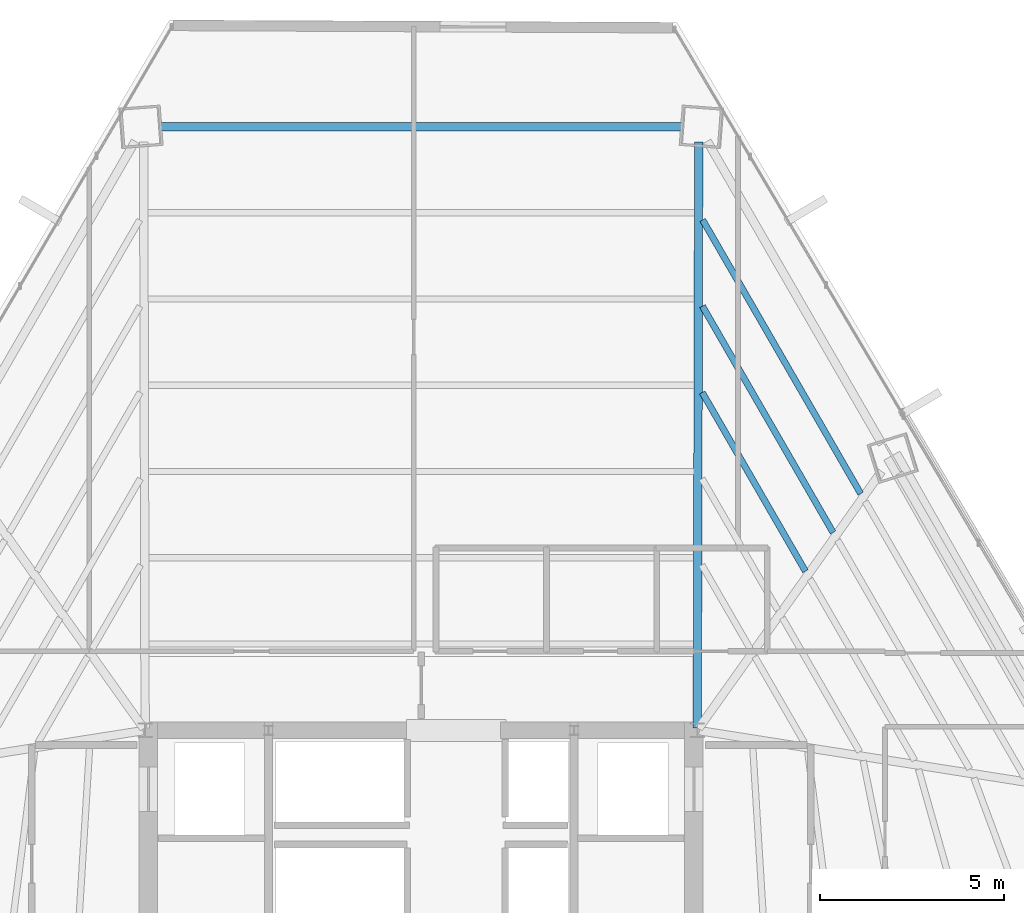
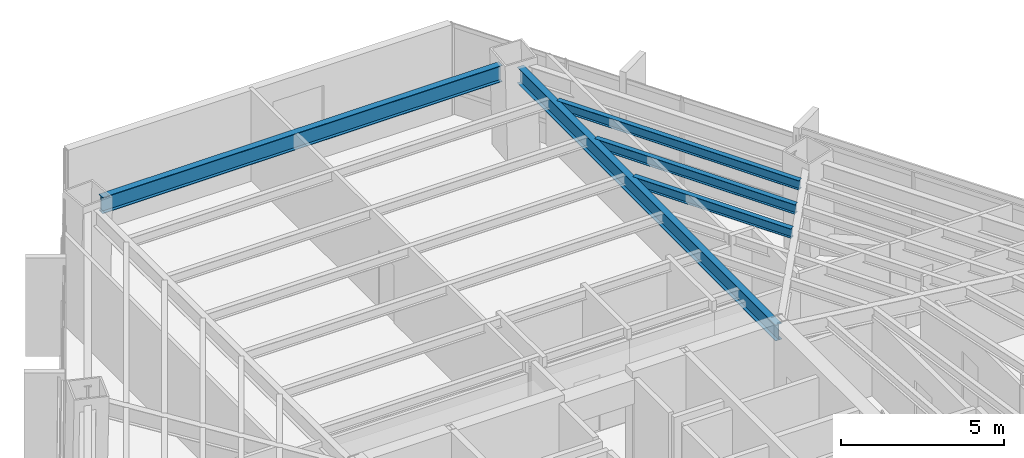
# One storey, part 27 of 35: 5 beams.
"""IFC4 building model written with IfcOpenShell, lengths in metres."""

from ifc_helpers import new_model, si_unit, direction, frame, origin, origin_2d, place, context, subcontext, project, spatial, i_section, extrude, source, transform, mapped, material, material_profile, profile_set, type_object, type_shapes, element, save


model = new_model("IFC4")

# Units and contexts
model_context = context("Model", 3, precision=1e-05, world=origin(), true_north=direction((0.0, 1.0)))
body_context = subcontext(model_context, "Body", "Model", "MODEL_VIEW")
ifc_project = project(units=[si_unit("LENGTHUNIT", "METRE"), si_unit("AREAUNIT", "SQUARE_METRE"), si_unit("VOLUMEUNIT", "CUBIC_METRE"), si_unit("PLANEANGLEUNIT", "RADIAN"), si_unit("MASSUNIT", "GRAM", prefix="KILO")], contexts=[model_context])

# Site, building, storey
site_placement = place(None, origin())
site = spatial("IfcSite", under=ifc_project, at=site_placement, CompositionType="ELEMENT")
building_placement = place(site_placement, origin())
building = spatial("IfcBuilding", under=site, at=building_placement, Name="Caelisora Broadcast Tower", CompositionType="ELEMENT")
storey_placement = place(building_placement, frame((0.0, 0.0, 98.10009765625)))
storey = spatial("IfcBuildingStorey", under=building, at=storey_placement, Name="L25", CompositionType="ELEMENT", Elevation=98.10009765625)

# Beams
ifc_material = material(Name="Steel Grade 350 (AS/NZS 3679.1)", Category="steel")
ifc_material_profile_1 = material_profile(ifc_material, i_section(OverallWidth=0.22900390625, OverallDepth=0.611572265625, WebThickness=0.011962890625, FlangeThickness=0.01953125, at=origin_2d()), Name="Steel Grade 350 (AS/NZS 3679.1)")
ifc_profile_set_1 = profile_set([ifc_material_profile_1], Name="Steel Grade 350 (AS/NZS 3679.1)")
beam_type_1 = type_object("IfcBeamType", Name="PG03", PredefinedType="BEAM", material=ifc_profile_set_1)
shared_shape_1 = source(origin(), body_context, "Body", "SweptSolid", [
    extrude(i_section(OverallWidth=0.22900390625, OverallDepth=0.611572265625, WebThickness=0.011962890625, FlangeThickness=0.01953125, at=origin_2d()), origin(), (0.0, 0.0, 1.0), 14.16015625),
])
type_shapes(beam_type_1, [shared_shape_1])
beam_1_placement = place(storey_placement, frame((45.080078125, 46.402587890625, 3.093994140625), z_axis=(-1.0, 0.0, 0.0), x_axis=(0.0, -1.0, 0.0)))
element("IfcBeam", 1, at=beam_1_placement, inside=storey, type_object=beam_type_1, Name="L25 beam PG03", PredefinedType="BEAM", context=body_context, shape_type="MappedRepresentation", body=[
    mapped(shared_shape_1, transform((0.0, 0.0, 0.0), scale=1.0)),
])
ifc_material_profile_2 = material_profile(ifc_material, i_section(OverallWidth=0.22802734375, OverallDepth=0.602294921875, WebThickness=0.010498046875, FlangeThickness=0.014892578125, at=origin_2d()), Name="Steel Grade 350 (AS/NZS 3679.1)")
ifc_profile_set_2 = profile_set([ifc_material_profile_2], Name="Steel Grade 350 (AS/NZS 3679.1)")
beam_type_2 = type_object("IfcBeamType", Name="PG04", PredefinedType="BEAM", material=ifc_profile_set_2)
shared_shape_2 = source(origin(), body_context, "Body", "SweptSolid", [
    extrude(i_section(OverallWidth=0.22802734375, OverallDepth=0.602294921875, WebThickness=0.010498046875, FlangeThickness=0.014892578125, at=origin_2d()), origin(), (0.0, 0.0, 1.0), 15.92236328125),
])
type_shapes(beam_type_2, [shared_shape_2])
beam_2_placement = place(storey_placement, frame((45.5, 30.06005859375, 3.098876953125), z_axis=(0.002468636104, 0.999996952913, 0.0), x_axis=(-0.999996952913, 0.002468636104, 0.0)))
element("IfcBeam", 2, at=beam_2_placement, inside=storey, type_object=beam_type_2, Name="L25 beam PG04", PredefinedType="BEAM", context=body_context, shape_type="MappedRepresentation", body=[
    mapped(shared_shape_2, transform((0.0, 0.0, 0.0), scale=1.0)),
])
ifc_material_profile_3 = material_profile(ifc_material, i_section(OverallWidth=0.172119140625, OverallDepth=0.358642578125, WebThickness=0.008056640625, FlangeThickness=0.012939453125, at=origin_2d()), Name="Steel Grade 350 (AS/NZS 3679.1)")
ifc_profile_set_3 = profile_set([ifc_material_profile_3], Name="Steel Grade 350 (AS/NZS 3679.1)")
beam_type_3 = type_object("IfcBeamType", Name="SB02", PredefinedType="JOIST", material=ifc_profile_set_3)
shared_shape_3 = source(origin(), body_context, "Body", "SweptSolid", [
    extrude(i_section(OverallWidth=0.172119140625, OverallDepth=0.358642578125, WebThickness=0.008056640625, FlangeThickness=0.012939453125, at=origin_2d()), origin(), (0.0, 0.0, 1.0), 5.6083984375),
])
beam_3_placement = place(storey_placement, frame((48.439208984375, 34.322021484375, 3.220703125), z_axis=(-0.500006325531, 0.866021751707, 0.0), x_axis=(-0.866021751707, -0.500006325531, 0.0)))
element("IfcBeam", 3, at=beam_3_placement, inside=storey, type_object=beam_type_3, Name="L25 beam SB02", PredefinedType="JOIST", context=body_context, shape_type="MappedRepresentation", body=[
    mapped(shared_shape_3, transform((0.0, 0.0, 0.0), scale=1.0)),
])
shared_shape_4 = source(origin(), body_context, "Body", "SweptSolid", [
    extrude(i_section(OverallWidth=0.172119140625, OverallDepth=0.358642578125, WebThickness=0.008056640625, FlangeThickness=0.012939453125, at=origin_2d()), origin(), (0.0, 0.0, 1.0), 7.097412109375),
])
beam_4_placement = place(storey_placement, frame((49.189208984375, 35.375732421875, 3.220703125), z_axis=(-0.499990444499, 0.866030920585, 0.0), x_axis=(-0.866030920585, -0.499990444499, 0.0)))
element("IfcBeam", 4, at=beam_4_placement, inside=storey, type_object=beam_type_3, Name="L25 beam SB02", PredefinedType="JOIST", context=body_context, shape_type="MappedRepresentation", body=[
    mapped(shared_shape_4, transform((0.0, 0.0, 0.0), scale=1.0)),
])
shared_shape_5 = source(origin(), body_context, "Body", "SweptSolid", [
    extrude(i_section(OverallWidth=0.172119140625, OverallDepth=0.358642578125, WebThickness=0.008056640625, FlangeThickness=0.012939453125, at=origin_2d()), origin(), (0.0, 0.0, 1.0), 8.5859375),
])
type_shapes(beam_type_3, [shared_shape_3, shared_shape_4, shared_shape_5])
beam_5_placement = place(storey_placement, frame((49.939453125, 36.4296875, 3.220703125), z_axis=(-0.500004696101, 0.866022692473, 0.0), x_axis=(-0.866022692473, -0.500004696101, 0.0)))
element("IfcBeam", 5, at=beam_5_placement, inside=storey, type_object=beam_type_3, Name="L25 beam SB02", PredefinedType="JOIST", context=body_context, shape_type="MappedRepresentation", body=[
    mapped(shared_shape_5, transform((0.0, 0.0, 0.0), scale=1.0)),
])

save(model, "model.ifc")
